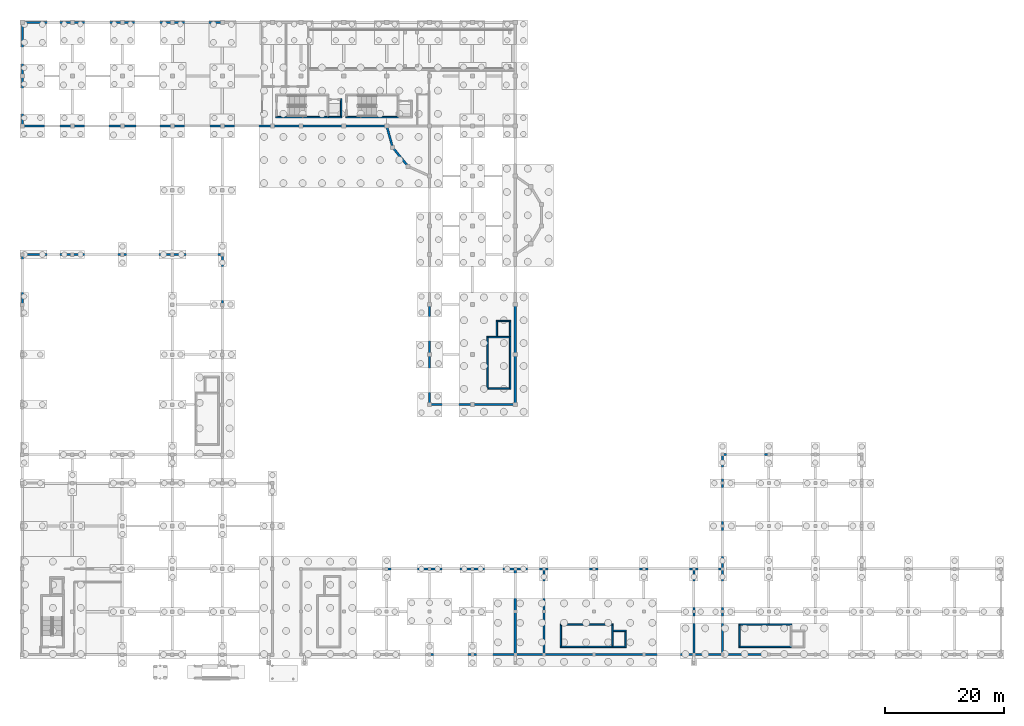
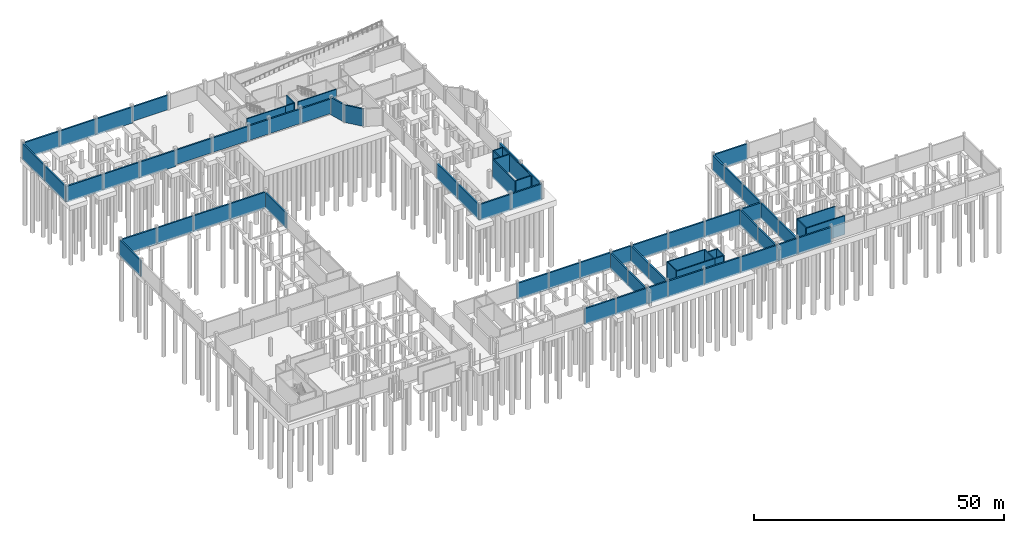
# One storey, part 16 of 22: 77 walls.
"""IFC4 building model written with IfcOpenShell, lengths in metres."""

from ifc_helpers import new_model, si_unit, direction, frame, frame_2d, origin, place, context, subcontext, project, spatial, rectangle, extrude, material, layer, layer_set, type_object, element, save


model = new_model("IFC4")

# Units and contexts
model_context = context("Model", 3, precision=1e-05, world=origin(), true_north=direction((0.0, 1.0)))
body_context = subcontext(model_context, "Body", "Model", "MODEL_VIEW")
ifc_project = project(units=[si_unit("LENGTHUNIT", "METRE"), si_unit("AREAUNIT", "SQUARE_METRE"), si_unit("VOLUMEUNIT", "CUBIC_METRE"), si_unit("PLANEANGLEUNIT", "RADIAN"), si_unit("MASSUNIT", "GRAM", prefix="KILO")], contexts=[model_context])

# Site, building, storey
site_placement = place(None, origin())
site = spatial("IfcSite", under=ifc_project, at=site_placement, CompositionType="ELEMENT")
building_placement = place(site_placement, origin())
building = spatial("IfcBuilding", under=site, at=building_placement, Name="Kahlenmark Community Centre", CompositionType="ELEMENT")
storey_placement = place(building_placement, frame((0.0, 0.0, -4.199951171875)))
storey = spatial("IfcBuildingStorey", under=building, at=storey_placement, Name="B1", CompositionType="ELEMENT", Elevation=-4.199951171875)

# Walls
ifc_material = material(Name="Concrete C35/45", Category="concrete")
ifc_layer_1 = layer(ifc_material, 0.25)
ifc_layer_set_1 = layer_set([ifc_layer_1], Name="Concrete C35/45")
wall_type_1 = type_object("IfcWallType", Name="WT-CORE-250", PredefinedType="SHEAR", material=ifc_layer_set_1)
wall_1_placement = place(storey_placement, frame((46.550048828125, 99.074951171875, 0.0), z_axis=(0.0, 0.0, 1.0), x_axis=(1.0, 0.0, 0.0)))
element("IfcWall", 1, at=wall_1_placement, inside=storey, type_object=wall_type_1, Name="Core K4 shear wall WL-CORE-K4-B1-0100", PredefinedType="SHEAR", context=body_context, shape_type="SweptSolid", body=[
    extrude(rectangle(XDim=8.89990234375, YDim=0.25, at=frame_2d((4.449951171875, 0.0))), origin(), (0.0, 0.0, 1.0), 4.199951171875),
])
wall_2_placement = place(storey_placement, frame((55.449951171875, 99.074951171875, 0.0), z_axis=(0.0, 0.0, 1.0), x_axis=(1.0, 0.0, 0.0)))
element("IfcWall", 2, at=wall_2_placement, inside=storey, type_object=wall_type_1, Name="Core K4 shear wall WL-CORE-K4-B1-0103", PredefinedType="SHEAR", context=body_context, shape_type="SweptSolid", body=[
    extrude(rectangle(XDim=2.2099609375, YDim=0.25, at=frame_2d((1.10498046875, 0.0))), origin(), (0.0, 0.0, 1.0), 4.199951171875),
])
wall_3_placement = place(storey_placement, frame((57.534912109375, 98.949951171875, 0.0), z_axis=(0.0, 0.0, 1.0), x_axis=(0.0, 1.0, 0.0)))
element("IfcWall", 3, at=wall_3_placement, inside=storey, type_object=wall_type_1, Name="Core K4 shear wall WL-CORE-K4-B1-0104", PredefinedType="SHEAR", context=body_context, shape_type="SweptSolid", body=[
    extrude(rectangle(XDim=3.260009765625, YDim=0.25, at=frame_2d((1.6298828125, 0.0))), origin(), (0.0, 0.0, 1.0), 4.199951171875),
])
wall_4_placement = place(storey_placement, frame((58.35009765625, 99.074951171875, 0.0), z_axis=(0.0, 0.0, 1.0), x_axis=(1.0, 0.0, 0.0)))
element("IfcWall", 4, at=wall_4_placement, inside=storey, type_object=wall_type_1, Name="Core K5 shear wall WL-CORE-K5-B1-0149", PredefinedType="SHEAR", context=body_context, shape_type="SweptSolid", body=[
    extrude(rectangle(XDim=8.89990234375, YDim=0.25, at=frame_2d((4.449951171875, 0.0))), origin(), (0.0, 0.0, 1.0), 4.199951171875),
])
wall_5_placement = place(storey_placement, frame((82.300048828125, 53.47509765625, -0.400146484375), z_axis=(0.0, 0.0, 1.0), x_axis=(1.0, 0.0, 0.0)))
element("IfcWall", 5, at=wall_5_placement, inside=storey, type_object=wall_type_1, Name="Core K6 shear wall WL-CORE-K6-B1-0197", PredefinedType="SHEAR", context=body_context, shape_type="SweptSolid", body=[
    extrude(rectangle(XDim=3.5, YDim=0.25, at=frame_2d((1.75, 0.0))), origin(), (0.0, 0.0, 1.0), 4.60009765625),
])
wall_6_placement = place(storey_placement, frame((82.175048828125, 53.35009765625, -0.400146484375), z_axis=(0.0, 0.0, 1.0), x_axis=(0.0, 1.0, 0.0)))
element("IfcWall", 6, at=wall_6_placement, inside=storey, type_object=wall_type_1, Name="Core K6 shear wall WL-CORE-K6-B1-0198", PredefinedType="SHEAR", context=body_context, shape_type="SweptSolid", body=[
    extrude(rectangle(XDim=8.89990234375, YDim=0.25, at=frame_2d((4.449951171875, 0.0))), origin(), (0.0, 0.0, 1.0), 4.60009765625),
])
wall_7_placement = place(storey_placement, frame((85.800048828125, 62.125, -0.400146484375), z_axis=(0.0, 0.0, 1.0), x_axis=(-1.0, 0.0, 0.0)))
element("IfcWall", 7, at=wall_7_placement, inside=storey, type_object=wall_type_1, Name="Core K6 shear wall WL-CORE-K6-B1-0199", PredefinedType="SHEAR", context=body_context, shape_type="SweptSolid", body=[
    extrude(rectangle(XDim=3.5, YDim=0.25, at=frame_2d((1.75, 0.0))), origin(), (0.0, 0.0, 1.0), 4.60009765625),
])
wall_8_placement = place(storey_placement, frame((85.925048828125, 53.35009765625, -0.400146484375), z_axis=(0.0, 0.0, 1.0), x_axis=(0.0, 1.0, 0.0)))
element("IfcWall", 8, at=wall_8_placement, inside=storey, type_object=wall_type_1, Name="Core K6 shear wall WL-CORE-K6-B1-0200", PredefinedType="SHEAR", context=body_context, shape_type="SweptSolid", body=[
    extrude(rectangle(XDim=8.89990234375, YDim=0.25, at=frame_2d((4.449951171875, 0.0))), origin(), (0.0, 0.0, 1.0), 4.60009765625),
])
for number, where, z_axis, x_axis, name in (
    (9, (83.590087890625, 64.8349609375, -0.400146484375), (0.0, 0.0, 1.0), (1.0, 0.0, 0.0), "Core K6 shear wall WL-CORE-K6-B1-0201"),
    (10, (83.715087890625, 62.25, -0.400146484375), (0.0, 0.0, 1.0), (0.0, 1.0, 0.0), "Core K6 shear wall WL-CORE-K6-B1-0202"),
):
    element("IfcWall", number, at=place(storey_placement, frame(where, z_axis=z_axis, x_axis=x_axis)), inside=storey, type_object=wall_type_1, Name=name, PredefinedType="SHEAR", context=body_context, shape_type="SweptSolid", body=[
        extrude(rectangle(XDim=2.4599609375, YDim=0.25, at=frame_2d((1.22998046875, 0.0))), origin(), (0.0, 0.0, 1.0), 4.60009765625),
    ])
wall_9_placement = place(storey_placement, frame((85.925048828125, 62.25, -0.400146484375), z_axis=(0.0, 0.0, 1.0), x_axis=(0.0, 1.0, 0.0)))
element("IfcWall", 11, at=wall_9_placement, inside=storey, type_object=wall_type_1, Name="Core K6 shear wall WL-CORE-K6-B1-0203", PredefinedType="SHEAR", context=body_context, shape_type="SweptSolid", body=[
    extrude(rectangle(XDim=2.7099609375, YDim=0.25, at=frame_2d((1.35498046875, 0.0))), origin(), (0.0, 0.0, 1.0), 4.60009765625),
])
wall_10_placement = place(storey_placement, frame((94.47509765625, 13.699951171875, -0.400146484375), z_axis=(0.0, 0.0, 1.0), x_axis=(0.0, -1.0, 0.0)))
element("IfcWall", 12, at=wall_10_placement, inside=storey, type_object=wall_type_1, Name="Core K7 shear wall WL-CORE-K7-B1-0246", PredefinedType="SHEAR", context=body_context, shape_type="SweptSolid", body=[
    extrude(rectangle(XDim=3.5, YDim=0.25, at=frame_2d((1.75, 0.0))), origin(), (0.0, 0.0, 1.0), 4.60009765625),
])
for number, where, z_axis, x_axis, name in (
    (13, (94.35009765625, 10.074951171875, -0.400146484375), (0.0, 0.0, 1.0), (1.0, 0.0, 0.0), "Core K7 shear wall WL-CORE-K7-B1-0247"),
    (14, (94.35009765625, 13.824951171875, -0.400146484375), (0.0, 0.0, 1.0), (1.0, 0.0, 0.0), "Core K7 shear wall WL-CORE-K7-B1-0248"),
):
    element("IfcWall", number, at=place(storey_placement, frame(where, z_axis=z_axis, x_axis=x_axis)), inside=storey, type_object=wall_type_1, Name=name, PredefinedType="SHEAR", context=body_context, shape_type="SweptSolid", body=[
        extrude(rectangle(XDim=8.89990234375, YDim=0.25, at=frame_2d((4.449951171875, 0.0))), origin(), (0.0, 0.0, 1.0), 4.60009765625),
    ])
wall_11_placement = place(storey_placement, frame((103.125, 10.199951171875, -0.400146484375), z_axis=(0.0, 0.0, 1.0), x_axis=(0.0, 1.0, 0.0)))
element("IfcWall", 15, at=wall_11_placement, inside=storey, type_object=wall_type_1, Name="Core K7 shear wall WL-CORE-K7-B1-0249", PredefinedType="SHEAR", context=body_context, shape_type="SweptSolid", body=[
    extrude(rectangle(XDim=3.5, YDim=0.25, at=frame_2d((1.75, 0.0))), origin(), (0.0, 0.0, 1.0), 4.60009765625),
])
wall_12_placement = place(storey_placement, frame((103.25, 12.784912109375, -0.400146484375), z_axis=(0.0, 0.0, 1.0), x_axis=(1.0, 0.0, 0.0)))
element("IfcWall", 16, at=wall_12_placement, inside=storey, type_object=wall_type_1, Name="Core K7 shear wall WL-CORE-K7-B1-0250", PredefinedType="SHEAR", context=body_context, shape_type="SweptSolid", body=[
    extrude(rectangle(XDim=2.2099609375, YDim=0.25, at=frame_2d((1.10498046875, 0.0))), origin(), (0.0, 0.0, 1.0), 4.60009765625),
])
wall_13_placement = place(storey_placement, frame((105.3349609375, 9.949951171875, -0.400146484375), z_axis=(0.0, 0.0, 1.0), x_axis=(0.0, 1.0, 0.0)))
element("IfcWall", 17, at=wall_13_placement, inside=storey, type_object=wall_type_1, Name="Core K7 shear wall WL-CORE-K7-B1-0251", PredefinedType="SHEAR", context=body_context, shape_type="SweptSolid", body=[
    extrude(rectangle(XDim=2.9599609375, YDim=0.25, at=frame_2d((1.47998046875, 0.0))), origin(), (0.0, 0.0, 1.0), 4.60009765625),
])
wall_14_placement = place(storey_placement, frame((103.25, 10.074951171875, -0.400146484375), z_axis=(0.0, 0.0, 1.0), x_axis=(1.0, 0.0, 0.0)))
element("IfcWall", 18, at=wall_14_placement, inside=storey, type_object=wall_type_1, Name="Core K7 shear wall WL-CORE-K7-B1-0252", PredefinedType="SHEAR", context=body_context, shape_type="SweptSolid", body=[
    extrude(rectangle(XDim=1.9599609375, YDim=0.25, at=frame_2d((0.97998046875, 0.0))), origin(), (0.0, 0.0, 1.0), 4.60009765625),
])
wall_15_placement = place(storey_placement, frame((124.47509765625, 13.699951171875, -0.400146484375), z_axis=(0.0, 0.0, 1.0), x_axis=(0.0, -1.0, 0.0)))
element("IfcWall", 19, at=wall_15_placement, inside=storey, type_object=wall_type_1, Name="Core K8 shear wall WL-CORE-K8-B1-0281", PredefinedType="SHEAR", context=body_context, shape_type="SweptSolid", body=[
    extrude(rectangle(XDim=3.5, YDim=0.25, at=frame_2d((1.75, 0.0))), origin(), (0.0, 0.0, 1.0), 4.60009765625),
])
for number, where, z_axis, x_axis, name in (
    (20, (124.35009765625, 10.074951171875, -0.400146484375), (0.0, 0.0, 1.0), (1.0, 0.0, 0.0), "Core K8 shear wall WL-CORE-K8-B1-0282"),
    (21, (124.35009765625, 13.824951171875, -0.400146484375), (0.0, 0.0, 1.0), (1.0, 0.0, 0.0), "Core K8 shear wall WL-CORE-K8-B1-0283"),
):
    element("IfcWall", number, at=place(storey_placement, frame(where, z_axis=z_axis, x_axis=x_axis)), inside=storey, type_object=wall_type_1, Name=name, PredefinedType="SHEAR", context=body_context, shape_type="SweptSolid", body=[
        extrude(rectangle(XDim=8.89990234375, YDim=0.25, at=frame_2d((4.449951171875, 0.0))), origin(), (0.0, 0.0, 1.0), 4.60009765625),
    ])
ifc_layer_2 = layer(ifc_material, 0.360107421875)
ifc_layer_set_2 = layer_set([ifc_layer_2], Name="Concrete C35/45")
wall_type_2 = type_object("IfcWallType", Name="WT-EW-B1-360", PredefinedType="SOLIDWALL", material=ifc_layer_set_2)
wall_16_placement = place(storey_placement, frame((4.0, 76.0, -0.400146484375), z_axis=(0.0, 0.0, 1.0), x_axis=(1.0, 0.0, 0.0)))
element("IfcWall", 22, at=wall_16_placement, inside=storey, type_object=wall_type_2, Name="B1 foundation wall 0023", PredefinedType="SOLIDWALL", context=body_context, shape_type="SweptSolid", body=[
    extrude(rectangle(XDim=8.39990234375, YDim=0.360107421875, at=frame_2d((4.199951171875, 0.0))), origin(), (0.0, 0.0, 1.0), 3.940185546875),
])
wall_17_placement = place(storey_placement, frame((12.39990234375, 76.0, -0.400146484375), z_axis=(0.0, 0.0, 1.0), x_axis=(1.0, 0.0, 0.0)))
element("IfcWall", 23, at=wall_17_placement, inside=storey, type_object=wall_type_2, Name="B1 foundation wall 0024", PredefinedType="SOLIDWALL", context=body_context, shape_type="SweptSolid", body=[
    extrude(rectangle(XDim=8.400146484375, YDim=0.360107421875, at=frame_2d((4.2001953125, 0.0))), origin(), (0.0, 0.0, 1.0), 3.940185546875),
])
wall_18_placement = place(storey_placement, frame((20.800048828125, 76.0, -0.400146484375), z_axis=(0.0, 0.0, 1.0), x_axis=(1.0, 0.0, 0.0)))
element("IfcWall", 24, at=wall_18_placement, inside=storey, type_object=wall_type_2, Name="B1 foundation wall 0025", PredefinedType="SOLIDWALL", context=body_context, shape_type="SweptSolid", body=[
    extrude(rectangle(XDim=8.39990234375, YDim=0.360107421875, at=frame_2d((4.199951171875, 0.0))), origin(), (0.0, 0.0, 1.0), 3.940185546875),
])
wall_19_placement = place(storey_placement, frame((29.199951171875, 76.0, -0.400146484375), z_axis=(0.0, 0.0, 1.0), x_axis=(1.0, 0.0, 0.0)))
element("IfcWall", 25, at=wall_19_placement, inside=storey, type_object=wall_type_2, Name="B1 foundation wall 0026", PredefinedType="SOLIDWALL", context=body_context, shape_type="SweptSolid", body=[
    extrude(rectangle(XDim=8.400146484375, YDim=0.360107421875, at=frame_2d((4.2001953125, 0.0))), origin(), (0.0, 0.0, 1.0), 3.940185546875),
])
wall_20_placement = place(storey_placement, frame((4.0, 67.60009765625, -0.400146484375), z_axis=(0.0, 0.0, 1.0), x_axis=(0.0, 1.0, 0.0)))
element("IfcWall", 26, at=wall_20_placement, inside=storey, type_object=wall_type_2, Name="B1 foundation wall 0030", PredefinedType="SOLIDWALL", context=body_context, shape_type="SweptSolid", body=[
    extrude(rectangle(XDim=8.39990234375, YDim=0.360107421875, at=frame_2d((4.199951171875, 0.0))), origin(), (0.0, 0.0, 1.0), 3.940185546875),
])
wall_21_placement = place(storey_placement, frame((37.60009765625, 67.60009765625, -0.400146484375), z_axis=(0.0, 0.0, 1.0), x_axis=(0.0, 1.0, 0.0)))
element("IfcWall", 27, at=wall_21_placement, inside=storey, type_object=wall_type_2, Name="B1 foundation wall 0034", PredefinedType="SOLIDWALL", context=body_context, shape_type="SweptSolid", body=[
    extrude(rectangle(XDim=8.39990234375, YDim=0.360107421875, at=frame_2d((4.199951171875, 0.0))), origin(), (0.0, 0.0, 1.0), 3.840087890625),
])
wall_22_placement = place(storey_placement, frame((72.39990234375, 8.800048828125, -0.400146484375), z_axis=(0.0, 0.0, 1.0), x_axis=(1.0, 0.0, 0.0)))
element("IfcWall", 28, at=wall_22_placement, inside=storey, type_object=wall_type_2, Name="B1 foundation wall 0038", PredefinedType="SOLIDWALL", context=body_context, shape_type="SweptSolid", body=[
    extrude(rectangle(XDim=7.2001953125, YDim=0.360107421875, at=frame_2d((3.60009765625, 0.0))), origin(), (0.0, 0.0, 1.0), 3.940185546875),
])
for number, where, z_axis, x_axis, name in (
    (29, (79.60009765625, 8.800048828125, -0.400146484375), (0.0, 0.0, 1.0), (1.0, 0.0, 0.0), "B1 foundation wall 0039"),
    (30, (65.199951171875, 23.199951171875, -0.400146484375), (0.0, 0.0, 1.0), (1.0, 0.0, 0.0), "B1 foundation wall 0042"),
):
    element("IfcWall", number, at=place(storey_placement, frame(where, z_axis=z_axis, x_axis=x_axis)), inside=storey, type_object=wall_type_2, Name=name, PredefinedType="SOLIDWALL", context=body_context, shape_type="SweptSolid", body=[
        extrude(rectangle(XDim=7.199951171875, YDim=0.360107421875, at=frame_2d((3.60009765625, 0.0))), origin(), (0.0, 0.0, 1.0), 3.940185546875),
    ])
wall_23_placement = place(storey_placement, frame((72.39990234375, 23.199951171875, -0.400146484375), z_axis=(0.0, 0.0, 1.0), x_axis=(1.0, 0.0, 0.0)))
element("IfcWall", 31, at=wall_23_placement, inside=storey, type_object=wall_type_2, Name="B1 foundation wall 0043", PredefinedType="SOLIDWALL", context=body_context, shape_type="SweptSolid", body=[
    extrude(rectangle(XDim=7.2001953125, YDim=0.360107421875, at=frame_2d((3.60009765625, 0.0))), origin(), (0.0, 0.0, 1.0), 3.940185546875),
])
wall_24_placement = place(storey_placement, frame((79.60009765625, 23.199951171875, -0.400146484375), z_axis=(0.0, 0.0, 1.0), x_axis=(1.0, 0.0, 0.0)))
element("IfcWall", 32, at=wall_24_placement, inside=storey, type_object=wall_type_2, Name="B1 foundation wall 0044", PredefinedType="SOLIDWALL", context=body_context, shape_type="SweptSolid", body=[
    extrude(rectangle(XDim=7.199951171875, YDim=0.360107421875, at=frame_2d((3.60009765625, 0.0))), origin(), (0.0, 0.0, 1.0), 3.940185546875),
])
for number, where, z_axis, x_axis, name in (
    (33, (86.800048828125, 8.800048828125, -0.400146484375), (0.0, 0.0, 1.0), (0.0, 1.0, 0.0), "B1 foundation wall 0047"),
    (34, (86.800048828125, 16.0, -0.400146484375), (0.0, 0.0, 1.0), (0.0, 1.0, 0.0), "B1 foundation wall 0048"),
):
    element("IfcWall", number, at=place(storey_placement, frame(where, z_axis=z_axis, x_axis=x_axis)), inside=storey, type_object=wall_type_2, Name=name, PredefinedType="SOLIDWALL", context=body_context, shape_type="SweptSolid", body=[
        extrude(rectangle(XDim=7.199951171875, YDim=0.360107421875, at=frame_2d((3.60009765625, 0.0))), origin(), (0.0, 0.0, 1.0), 3.840087890625),
    ])
wall_25_placement = place(storey_placement, frame((4.0, 97.60009765625, -0.400146484375), z_axis=(0.0, 0.0, 1.0), x_axis=(1.0, 0.0, 0.0)))
element("IfcWall", 35, at=wall_25_placement, inside=storey, type_object=wall_type_2, Name="B1 foundation wall 0049", PredefinedType="SOLIDWALL", context=body_context, shape_type="SweptSolid", body=[
    extrude(rectangle(XDim=8.39990234375, YDim=0.360107421875, at=frame_2d((4.199951171875, 0.0))), origin(), (0.0, 0.0, 1.0), 3.940185546875),
])
wall_26_placement = place(storey_placement, frame((12.39990234375, 97.60009765625, -0.400146484375), z_axis=(0.0, 0.0, 1.0), x_axis=(1.0, 0.0, 0.0)))
element("IfcWall", 36, at=wall_26_placement, inside=storey, type_object=wall_type_2, Name="B1 foundation wall 0050", PredefinedType="SOLIDWALL", context=body_context, shape_type="SweptSolid", body=[
    extrude(rectangle(XDim=8.400146484375, YDim=0.360107421875, at=frame_2d((4.2001953125, 0.0))), origin(), (0.0, 0.0, 1.0), 3.940185546875),
])
wall_27_placement = place(storey_placement, frame((20.800048828125, 97.60009765625, -0.400146484375), z_axis=(0.0, 0.0, 1.0), x_axis=(1.0, 0.0, 0.0)))
element("IfcWall", 37, at=wall_27_placement, inside=storey, type_object=wall_type_2, Name="B1 foundation wall 0051", PredefinedType="SOLIDWALL", context=body_context, shape_type="SweptSolid", body=[
    extrude(rectangle(XDim=8.39990234375, YDim=0.360107421875, at=frame_2d((4.199951171875, 0.0))), origin(), (0.0, 0.0, 1.0), 3.940185546875),
])
wall_28_placement = place(storey_placement, frame((29.199951171875, 97.60009765625, 0.0), z_axis=(0.0, 0.0, 1.0), x_axis=(1.0, 0.0, 0.0)))
element("IfcWall", 38, at=wall_28_placement, inside=storey, type_object=wall_type_2, Name="B1 foundation wall 0052", PredefinedType="SOLIDWALL", context=body_context, shape_type="SweptSolid", body=[
    extrude(rectangle(XDim=8.400146484375, YDim=0.360107421875, at=frame_2d((4.2001953125, 0.0))), origin(), (0.0, 0.0, 1.0), 3.5400390625),
])
wall_29_placement = place(storey_placement, frame((37.60009765625, 97.60009765625, 0.0), z_axis=(0.0, 0.0, 1.0), x_axis=(1.0, 0.0, 0.0)))
element("IfcWall", 39, at=wall_29_placement, inside=storey, type_object=wall_type_2, Name="B1 foundation wall 0053", PredefinedType="SOLIDWALL", context=body_context, shape_type="SweptSolid", body=[
    extrude(rectangle(XDim=8.39990234375, YDim=0.360107421875, at=frame_2d((4.199951171875, 0.0))), origin(), (0.0, 0.0, 1.0), 3.5400390625),
])
wall_30_placement = place(storey_placement, frame((46.0, 97.60009765625, 0.0), z_axis=(0.0, 0.0, 1.0), x_axis=(1.0, 0.0, 0.0)))
element("IfcWall", 40, at=wall_30_placement, inside=storey, type_object=wall_type_2, Name="B1 foundation wall 0054", PredefinedType="SOLIDWALL", context=body_context, shape_type="SweptSolid", body=[
    extrude(rectangle(XDim=4.800048828125, YDim=0.360107421875, at=frame_2d((2.39990234375, 0.0))), origin(), (0.0, 0.0, 1.0), 3.5400390625),
])
for number, where, z_axis, x_axis, name in (
    (41, (50.800048828125, 97.60009765625, 0.0), (0.0, 0.0, 1.0), (1.0, 0.0, 0.0), "B1 foundation wall 0055"),
    (42, (58.0, 97.60009765625, 0.0), (0.0, 0.0, 1.0), (1.0, 0.0, 0.0), "B1 foundation wall 0056"),
):
    element("IfcWall", number, at=place(storey_placement, frame(where, z_axis=z_axis, x_axis=x_axis)), inside=storey, type_object=wall_type_2, Name=name, PredefinedType="SOLIDWALL", context=body_context, shape_type="SweptSolid", body=[
        extrude(rectangle(XDim=7.199951171875, YDim=0.360107421875, at=frame_2d((3.60009765625, 0.0))), origin(), (0.0, 0.0, 1.0), 3.5400390625),
    ])
wall_31_placement = place(storey_placement, frame((4.0, 115.0, -0.400146484375), z_axis=(0.0, 0.0, 1.0), x_axis=(1.0, 0.0, 0.0)))
element("IfcWall", 43, at=wall_31_placement, inside=storey, type_object=wall_type_2, Name="B1 foundation wall 0060", PredefinedType="SOLIDWALL", context=body_context, shape_type="SweptSolid", body=[
    extrude(rectangle(XDim=8.39990234375, YDim=0.360107421875, at=frame_2d((4.199951171875, 0.0))), origin(), (0.0, 0.0, 1.0), 3.940185546875),
])
wall_32_placement = place(storey_placement, frame((12.39990234375, 115.0, -0.400146484375), z_axis=(0.0, 0.0, 1.0), x_axis=(1.0, 0.0, 0.0)))
element("IfcWall", 44, at=wall_32_placement, inside=storey, type_object=wall_type_2, Name="B1 foundation wall 0061", PredefinedType="SOLIDWALL", context=body_context, shape_type="SweptSolid", body=[
    extrude(rectangle(XDim=8.400146484375, YDim=0.360107421875, at=frame_2d((4.2001953125, 0.0))), origin(), (0.0, 0.0, 1.0), 3.940185546875),
])
wall_33_placement = place(storey_placement, frame((20.800048828125, 115.0, -0.400146484375), z_axis=(0.0, 0.0, 1.0), x_axis=(1.0, 0.0, 0.0)))
element("IfcWall", 45, at=wall_33_placement, inside=storey, type_object=wall_type_2, Name="B1 foundation wall 0062", PredefinedType="SOLIDWALL", context=body_context, shape_type="SweptSolid", body=[
    extrude(rectangle(XDim=8.39990234375, YDim=0.360107421875, at=frame_2d((4.199951171875, 0.0))), origin(), (0.0, 0.0, 1.0), 3.940185546875),
])
wall_34_placement = place(storey_placement, frame((29.199951171875, 115.0, 0.0), z_axis=(0.0, 0.0, 1.0), x_axis=(1.0, 0.0, 0.0)))
element("IfcWall", 46, at=wall_34_placement, inside=storey, type_object=wall_type_2, Name="B1 foundation wall 0063", PredefinedType="SOLIDWALL", context=body_context, shape_type="SweptSolid", body=[
    extrude(rectangle(XDim=8.400146484375, YDim=0.360107421875, at=frame_2d((4.2001953125, 0.0))), origin(), (0.0, 0.0, 1.0), 3.5400390625),
])
wall_35_placement = place(storey_placement, frame((4.0, 97.60009765625, -0.400146484375), z_axis=(0.0, 0.0, 1.0), x_axis=(0.0, 1.0, 0.0)))
element("IfcWall", 47, at=wall_35_placement, inside=storey, type_object=wall_type_2, Name="B1 foundation wall 0071", PredefinedType="SOLIDWALL", context=body_context, shape_type="SweptSolid", body=[
    extrude(rectangle(XDim=8.39990234375, YDim=0.360107421875, at=frame_2d((4.199951171875, 0.0))), origin(), (0.0, 0.0, 1.0), 3.840087890625),
])
wall_36_placement = place(storey_placement, frame((4.0, 106.0, -0.400146484375), z_axis=(0.0, 0.0, 1.0), x_axis=(0.0, 1.0, 0.0)))
element("IfcWall", 48, at=wall_36_placement, inside=storey, type_object=wall_type_2, Name="B1 foundation wall 0072", PredefinedType="SOLIDWALL", context=body_context, shape_type="SweptSolid", body=[
    extrude(rectangle(XDim=9.0, YDim=0.360107421875, at=frame_2d((4.5, 0.0))), origin(), (0.0, 0.0, 1.0), 3.840087890625),
])
wall_37_placement = place(storey_placement, frame((72.39990234375, 50.800048828125, -0.400146484375), z_axis=(0.0, 0.0, 1.0), x_axis=(1.0, 0.0, 0.0)))
element("IfcWall", 49, at=wall_37_placement, inside=storey, type_object=wall_type_2, Name="B1 foundation wall 0075", PredefinedType="SOLIDWALL", context=body_context, shape_type="SweptSolid", body=[
    extrude(rectangle(XDim=7.2001953125, YDim=0.360107421875, at=frame_2d((3.60009765625, 0.0))), origin(), (0.0, 0.0, 1.0), 3.940185546875),
])
wall_38_placement = place(storey_placement, frame((79.60009765625, 50.800048828125, -0.400146484375), z_axis=(0.0, 0.0, 1.0), x_axis=(1.0, 0.0, 0.0)))
element("IfcWall", 50, at=wall_38_placement, inside=storey, type_object=wall_type_2, Name="B1 foundation wall 0076", PredefinedType="SOLIDWALL", context=body_context, shape_type="SweptSolid", body=[
    extrude(rectangle(XDim=7.199951171875, YDim=0.360107421875, at=frame_2d((3.60009765625, 0.0))), origin(), (0.0, 0.0, 1.0), 3.940185546875),
])
wall_39_placement = place(storey_placement, frame((72.39990234375, 50.800048828125, -0.400146484375), z_axis=(0.0, 0.0, 1.0), x_axis=(0.0, 1.0, 0.0)))
element("IfcWall", 51, at=wall_39_placement, inside=storey, type_object=wall_type_2, Name="B1 foundation wall 0077", PredefinedType="SOLIDWALL", context=body_context, shape_type="SweptSolid", body=[
    extrude(rectangle(XDim=8.39990234375, YDim=0.360107421875, at=frame_2d((4.199951171875, 0.0))), origin(), (0.0, 0.0, 1.0), 3.840087890625),
])
wall_40_placement = place(storey_placement, frame((72.39990234375, 59.199951171875, -0.400146484375), z_axis=(0.0, 0.0, 1.0), x_axis=(0.0, 1.0, 0.0)))
element("IfcWall", 52, at=wall_40_placement, inside=storey, type_object=wall_type_2, Name="B1 foundation wall 0078", PredefinedType="SOLIDWALL", context=body_context, shape_type="SweptSolid", body=[
    extrude(rectangle(XDim=8.400146484375, YDim=0.360107421875, at=frame_2d((4.2001953125, 0.0))), origin(), (0.0, 0.0, 1.0), 3.840087890625),
])
wall_41_placement = place(storey_placement, frame((86.800048828125, 50.800048828125, -0.400146484375), z_axis=(0.0, 0.0, 1.0), x_axis=(0.0, 1.0, 0.0)))
element("IfcWall", 53, at=wall_41_placement, inside=storey, type_object=wall_type_2, Name="B1 foundation wall 0083", PredefinedType="SOLIDWALL", context=body_context, shape_type="SweptSolid", body=[
    extrude(rectangle(XDim=8.39990234375, YDim=0.360107421875, at=frame_2d((4.199951171875, 0.0))), origin(), (0.0, 0.0, 1.0), 3.840087890625),
])
wall_42_placement = place(storey_placement, frame((86.800048828125, 59.199951171875, -0.400146484375), z_axis=(0.0, 0.0, 1.0), x_axis=(0.0, 1.0, 0.0)))
element("IfcWall", 54, at=wall_42_placement, inside=storey, type_object=wall_type_2, Name="B1 foundation wall 0084", PredefinedType="SOLIDWALL", context=body_context, shape_type="SweptSolid", body=[
    extrude(rectangle(XDim=8.400146484375, YDim=0.360107421875, at=frame_2d((4.2001953125, 0.0))), origin(), (0.0, 0.0, 1.0), 3.840087890625),
])
for number, where, z_axis, x_axis, name in (
    (55, (91.60009765625, 8.800048828125, -0.400146484375), (0.0, 0.0, 1.0), (1.0, 0.0, 0.0), "B1 foundation wall 0089"),
    (56, (100.0, 8.800048828125, -0.400146484375), (0.0, 0.0, 1.0), (1.0, 0.0, 0.0), "B1 foundation wall 0090"),
):
    element("IfcWall", number, at=place(storey_placement, frame(where, z_axis=z_axis, x_axis=x_axis)), inside=storey, type_object=wall_type_2, Name=name, PredefinedType="SOLIDWALL", context=body_context, shape_type="SweptSolid", body=[
        extrude(rectangle(XDim=8.39990234375, YDim=0.360107421875, at=frame_2d((4.199951171875, 0.0))), origin(), (0.0, 0.0, 1.0), 3.940185546875),
    ])
wall_43_placement = place(storey_placement, frame((108.39990234375, 8.800048828125, -0.400146484375), z_axis=(0.0, 0.0, 1.0), x_axis=(1.0, 0.0, 0.0)))
element("IfcWall", 57, at=wall_43_placement, inside=storey, type_object=wall_type_2, Name="B1 foundation wall 0091", PredefinedType="SOLIDWALL", context=body_context, shape_type="SweptSolid", body=[
    extrude(rectangle(XDim=8.400146484375, YDim=0.360107421875, at=frame_2d((4.2001953125, 0.0))), origin(), (0.0, 0.0, 1.0), 3.940185546875),
])
for number, where, z_axis, x_axis, name in (
    (58, (91.60009765625, 23.199951171875, -0.400146484375), (0.0, 0.0, 1.0), (1.0, 0.0, 0.0), "B1 foundation wall 0092"),
    (59, (100.0, 23.199951171875, -0.400146484375), (0.0, 0.0, 1.0), (1.0, 0.0, 0.0), "B1 foundation wall 0093"),
):
    element("IfcWall", number, at=place(storey_placement, frame(where, z_axis=z_axis, x_axis=x_axis)), inside=storey, type_object=wall_type_2, Name=name, PredefinedType="SOLIDWALL", context=body_context, shape_type="SweptSolid", body=[
        extrude(rectangle(XDim=8.39990234375, YDim=0.360107421875, at=frame_2d((4.199951171875, 0.0))), origin(), (0.0, 0.0, 1.0), 3.940185546875),
    ])
wall_44_placement = place(storey_placement, frame((108.39990234375, 23.199951171875, -0.400146484375), z_axis=(0.0, 0.0, 1.0), x_axis=(1.0, 0.0, 0.0)))
element("IfcWall", 60, at=wall_44_placement, inside=storey, type_object=wall_type_2, Name="B1 foundation wall 0094", PredefinedType="SOLIDWALL", context=body_context, shape_type="SweptSolid", body=[
    extrude(rectangle(XDim=8.400146484375, YDim=0.360107421875, at=frame_2d((4.2001953125, 0.0))), origin(), (0.0, 0.0, 1.0), 3.940185546875),
])
for number, where, z_axis, x_axis, name in (
    (61, (91.60009765625, 8.800048828125, -0.400146484375), (0.0, 0.0, 1.0), (0.0, 1.0, 0.0), "B1 foundation wall 0095"),
    (62, (91.60009765625, 16.0, -0.400146484375), (0.0, 0.0, 1.0), (0.0, 1.0, 0.0), "B1 foundation wall 0096"),
    (63, (116.800048828125, 8.800048828125, -0.400146484375), (0.0, 0.0, 1.0), (0.0, 1.0, 0.0), "B1 foundation wall 0097"),
    (64, (116.800048828125, 16.0, -0.400146484375), (0.0, 0.0, 1.0), (0.0, 1.0, 0.0), "B1 foundation wall 0098"),
):
    element("IfcWall", number, at=place(storey_placement, frame(where, z_axis=z_axis, x_axis=x_axis)), inside=storey, type_object=wall_type_2, Name=name, PredefinedType="SOLIDWALL", context=body_context, shape_type="SweptSolid", body=[
        extrude(rectangle(XDim=7.199951171875, YDim=0.360107421875, at=frame_2d((3.60009765625, 0.0))), origin(), (0.0, 0.0, 1.0), 3.840087890625),
    ])
wall_45_placement = place(storey_placement, frame((121.60009765625, 8.800048828125, -0.400146484375), z_axis=(0.0, 0.0, 1.0), x_axis=(1.0, 0.0, 0.0)))
element("IfcWall", 65, at=wall_45_placement, inside=storey, type_object=wall_type_2, Name="B1 foundation wall 0099", PredefinedType="SOLIDWALL", context=body_context, shape_type="SweptSolid", body=[
    extrude(rectangle(XDim=7.7998046875, YDim=0.360107421875, at=frame_2d((3.89990234375, 0.0))), origin(), (0.0, 0.0, 1.0), 3.940185546875),
])
for number, where, z_axis, x_axis, name in (
    (66, (121.60009765625, 8.800048828125, -0.400146484375), (0.0, 0.0, 1.0), (0.0, 1.0, 0.0), "B1 foundation wall 0108"),
    (67, (121.60009765625, 16.0, -0.400146484375), (0.0, 0.0, 1.0), (0.0, 1.0, 0.0), "B1 foundation wall 0109"),
):
    element("IfcWall", number, at=place(storey_placement, frame(where, z_axis=z_axis, x_axis=x_axis)), inside=storey, type_object=wall_type_2, Name=name, PredefinedType="SOLIDWALL", context=body_context, shape_type="SweptSolid", body=[
        extrude(rectangle(XDim=7.199951171875, YDim=0.360107421875, at=frame_2d((3.60009765625, 0.0))), origin(), (0.0, 0.0, 1.0), 3.840087890625),
    ])
wall_46_placement = place(storey_placement, frame((121.60009765625, 42.39990234375, -0.400146484375), z_axis=(0.0, 0.0, 1.0), x_axis=(1.0, 0.0, 0.0)))
element("IfcWall", 68, at=wall_46_placement, inside=storey, type_object=wall_type_2, Name="B1 foundation wall 0112", PredefinedType="SOLIDWALL", context=body_context, shape_type="SweptSolid", body=[
    extrude(rectangle(XDim=7.7998046875, YDim=0.360107421875, at=frame_2d((3.89990234375, 0.0))), origin(), (0.0, 0.0, 1.0), 3.940185546875),
])
wall_47_placement = place(storey_placement, frame((121.60009765625, 23.199951171875, -0.400146484375), z_axis=(0.0, 0.0, 1.0), x_axis=(0.0, 1.0, 0.0)))
element("IfcWall", 69, at=wall_47_placement, inside=storey, type_object=wall_type_2, Name="B1 foundation wall 0115", PredefinedType="SOLIDWALL", context=body_context, shape_type="SweptSolid", body=[
    extrude(rectangle(XDim=7.199951171875, YDim=0.360107421875, at=frame_2d((3.60009765625, 0.0))), origin(), (0.0, 0.0, 1.0), 3.840087890625),
])
wall_48_placement = place(storey_placement, frame((121.60009765625, 30.39990234375, -0.400146484375), z_axis=(0.0, 0.0, 1.0), x_axis=(0.0, 1.0, 0.0)))
element("IfcWall", 70, at=wall_48_placement, inside=storey, type_object=wall_type_2, Name="B1 foundation wall 0116", PredefinedType="SOLIDWALL", context=body_context, shape_type="SweptSolid", body=[
    extrude(rectangle(XDim=7.2001953125, YDim=0.360107421875, at=frame_2d((3.60009765625, 0.0))), origin(), (0.0, 0.0, 1.0), 3.840087890625),
])
wall_49_placement = place(storey_placement, frame((121.60009765625, 37.60009765625, -0.400146484375), z_axis=(0.0, 0.0, 1.0), x_axis=(0.0, 1.0, 0.0)))
element("IfcWall", 71, at=wall_49_placement, inside=storey, type_object=wall_type_2, Name="B1 foundation wall 0117", PredefinedType="SOLIDWALL", context=body_context, shape_type="SweptSolid", body=[
    extrude(rectangle(XDim=4.7998046875, YDim=0.360107421875, at=frame_2d((2.39990234375, 0.0))), origin(), (0.0, 0.0, 1.0), 3.840087890625),
])
for number, where, z_axis, x_axis, name in (
    (72, (86.800048828125, 8.800048828125, -0.400146484375), (0.0, 0.0, 1.0), (1.0, 0.0, 0.0), "B1 foundation wall 0123"),
    (73, (86.800048828125, 23.199951171875, -0.400146484375), (0.0, 0.0, 1.0), (1.0, 0.0, 0.0), "B1 foundation wall 0124"),
    (74, (116.800048828125, 8.800048828125, -0.400146484375), (0.0, 0.0, 1.0), (1.0, 0.0, 0.0), "B1 foundation wall 0125"),
    (75, (116.800048828125, 23.199951171875, -0.400146484375), (0.0, 0.0, 1.0), (1.0, 0.0, 0.0), "B1 foundation wall 0126"),
):
    element("IfcWall", number, at=place(storey_placement, frame(where, z_axis=z_axis, x_axis=x_axis)), inside=storey, type_object=wall_type_2, Name=name, PredefinedType="SOLIDWALL", context=body_context, shape_type="SweptSolid", body=[
        extrude(rectangle(XDim=4.800048828125, YDim=0.360107421875, at=frame_2d((2.39990234375, 0.0))), origin(), (0.0, 0.0, 1.0), 3.940185546875),
    ])
wall_50_placement = place(storey_placement, frame((65.199951171875, 97.60009765625, -0.400146484375), z_axis=(0.0, 0.0, 1.0), x_axis=(0.267637123724, -0.963519781844, 0.0)))
element("IfcWall", 76, at=wall_50_placement, inside=storey, type_object=wall_type_2, Name="B1 rotunda foundation wall 0132", PredefinedType="SOLIDWALL", context=body_context, shape_type="SweptSolid", body=[
    extrude(rectangle(XDim=3.736328125, YDim=0.360107421875, at=frame_2d((1.8681640625, 0.0))), origin(), (0.0, 0.0, 1.0), 4.25),
])
wall_51_placement = place(storey_placement, frame((66.199951171875, 94.0, -0.400146484375), z_axis=(0.0, 0.0, 1.0), x_axis=(0.630612687458, -0.776097699015, 0.0)))
element("IfcWall", 77, at=wall_51_placement, inside=storey, type_object=wall_type_2, Name="B1 rotunda foundation wall 0133", PredefinedType="SOLIDWALL", context=body_context, shape_type="SweptSolid", body=[
    extrude(rectangle(XDim=4.123046875, YDim=0.360107421875, at=frame_2d((2.0615234375, 0.0))), origin(), (0.0, 0.0, 1.0), 4.25),
])

save(model, "model.ifc")
